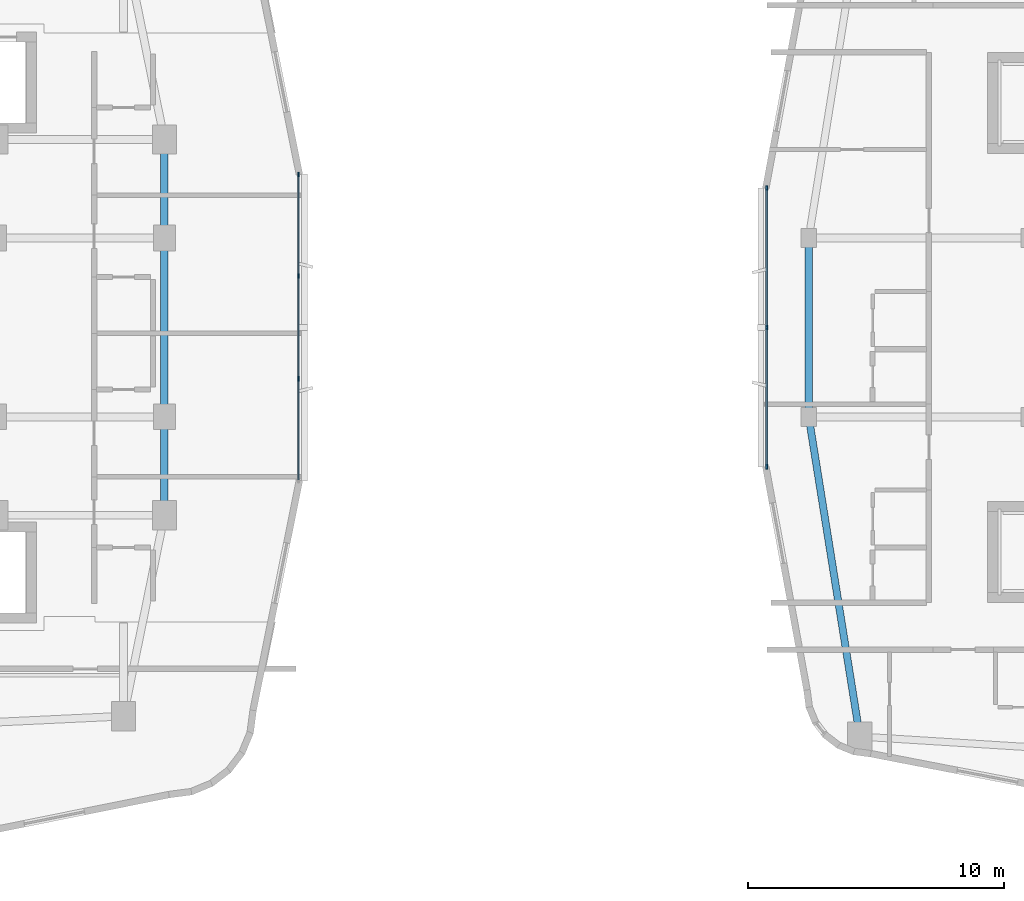
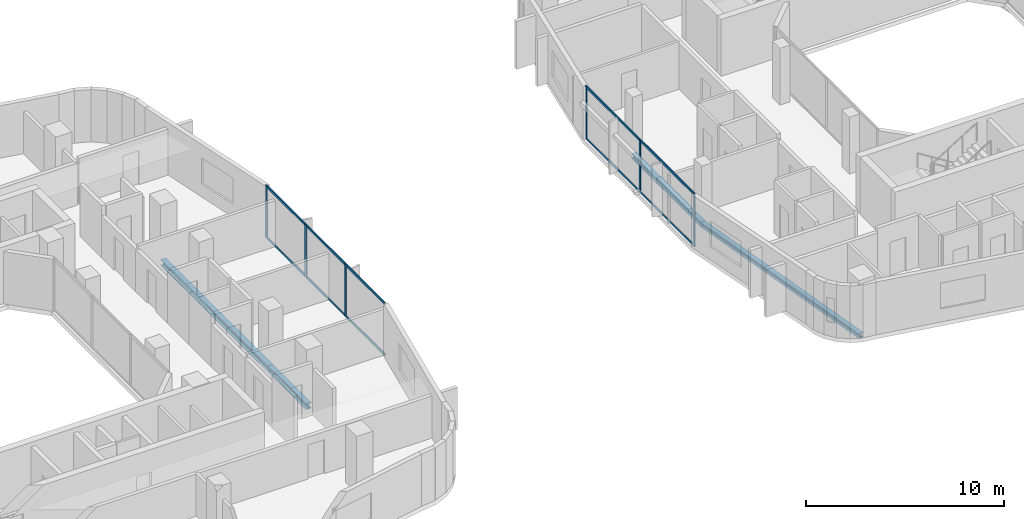
# One storey, part 5 of 26: 16 members, 5 beams, 2 elements without a shape of their own.
"""IFC4 building model written with IfcOpenShell, lengths in metres."""

from ifc_helpers import new_model, si_unit, derived_unit, direction, frame, origin, origin_2d, place, context, subcontext, project, spatial, rectangle, i_section, extrude, material, layer, layer_set, material_profile, profile_set, type_object, element, aggregate, save


model = new_model("IFC4")

# Units and contexts
model_context = context("Model", 3, precision=1e-05, world=origin(), true_north=direction((0.0, 1.0)))
body_context = subcontext(model_context, "Body", "Model", "MODEL_VIEW")
ifc_project = project(units=[si_unit("LENGTHUNIT", "METRE"), si_unit("AREAUNIT", "SQUARE_METRE"), si_unit("VOLUMEUNIT", "CUBIC_METRE"), si_unit("PLANEANGLEUNIT", "RADIAN"), si_unit("MASSUNIT", "GRAM", prefix="KILO"), derived_unit("THERMALTRANSMITTANCEUNIT", [(si_unit("POWERUNIT", "WATT"), 1), (si_unit("LENGTHUNIT", "METRE"), -2), (si_unit("THERMODYNAMICTEMPERATUREUNIT", "KELVIN"), -1)])], contexts=[model_context])

# Site, building, storey
site_placement = place(None, origin())
site = spatial("IfcSite", under=ifc_project, at=site_placement, CompositionType="ELEMENT")
building_placement = place(site_placement, origin())
building = spatial("IfcBuilding", under=site, at=building_placement, Name="Kivonza Crest Hotel", CompositionType="ELEMENT")
storey_placement = place(building_placement, frame((0.0, 0.0, 95.0)))
storey = spatial("IfcBuildingStorey", under=building, at=storey_placement, Name="L25", CompositionType="ELEMENT", Elevation=95.0)

# Beams
ifc_material_1 = material(Name="Steel S355", Category="steel")
ifc_material_profile_1 = material_profile(ifc_material_1, i_section(OverallWidth=0.280029296875, OverallDepth=0.280029296875, WebThickness=0.010498046875, FlangeThickness=0.01806640625, FilletRadius=0.02392578125, at=origin_2d()), Name="HEB 280")
ifc_profile_set_1 = profile_set([ifc_material_profile_1], Name="Steel S355")
beam_type_1 = type_object("IfcBeamType", Name="BM-HEB280", PredefinedType="SPANDREL", material=ifc_profile_set_1)
beam_1_placement = place(storey_placement, frame((61.0, 28.5, -0.389892578125), z_axis=(0.0, -1.0, 0.0), x_axis=(1.0, 0.0, 0.0)))
element("IfcBeam", 1, at=beam_1_placement, inside=storey, type_object=beam_type_1, Name="Companion Tower T2 L25 perimeter spandrel W2-W1", PredefinedType="SPANDREL", context=body_context, shape_type="SweptSolid", body=[
    extrude(i_section(OverallWidth=0.280029296875, OverallDepth=0.280029296875, WebThickness=0.010498046875, FlangeThickness=0.01806640625, FilletRadius=0.02392578125, at=origin_2d()), origin(), (0.0, 0.0, 1.0), 7.0),
])
beam_2_placement = place(storey_placement, frame((61.0, 21.5, -0.389892578125), z_axis=(0.157990501107, -0.987440631917, 0.0), x_axis=(0.987440631917, 0.157990501107, 0.0)))
element("IfcBeam", 2, at=beam_2_placement, inside=storey, type_object=beam_type_1, Name="Companion Tower T2 L25 perimeter spandrel W1-SW", PredefinedType="SPANDREL", context=body_context, shape_type="SweptSolid", body=[
    extrude(i_section(OverallWidth=0.280029296875, OverallDepth=0.280029296875, WebThickness=0.010498046875, FlangeThickness=0.01806640625, FilletRadius=0.02392578125, at=origin_2d()), origin(), (0.0, 0.0, 1.0), 12.658935546875),
])
ifc_material_profile_2 = material_profile(ifc_material_1, i_section(OverallWidth=0.300048828125, OverallDepth=0.360107421875, WebThickness=0.012451171875, FlangeThickness=0.0224609375, FilletRadius=0.027099609375, at=origin_2d()), Name="HEB 360")
ifc_profile_set_2 = profile_set([ifc_material_profile_2], Name="Steel S355")
beam_type_2 = type_object("IfcBeamType", Name="BM-HEB360", PredefinedType="SPANDREL", material=ifc_profile_set_2)
beam_3_placement = place(storey_placement, frame((35.800048828125, 17.64990234375, -0.4599609375), z_axis=(0.0, 1.0, 0.0), x_axis=(-1.0, 0.0, 0.0)))
element("IfcBeam", 3, at=beam_3_placement, inside=storey, type_object=beam_type_2, Name="Tower T1 L25 perimeter spandrel PSE-E1", PredefinedType="SPANDREL", context=body_context, shape_type="SweptSolid", body=[
    extrude(i_section(OverallWidth=0.300048828125, OverallDepth=0.360107421875, WebThickness=0.012451171875, FlangeThickness=0.0224609375, FilletRadius=0.027099609375, at=origin_2d()), origin(), (0.0, 0.0, 1.0), 3.85009765625),
])
beam_4_placement = place(storey_placement, frame((35.800048828125, 21.5, -0.4599609375), z_axis=(0.0, 1.0, 0.0), x_axis=(-1.0, 0.0, 0.0)))
element("IfcBeam", 4, at=beam_4_placement, inside=storey, type_object=beam_type_2, Name="Tower T1 L25 perimeter spandrel E1-E2", PredefinedType="SPANDREL", context=body_context, shape_type="SweptSolid", body=[
    extrude(i_section(OverallWidth=0.300048828125, OverallDepth=0.360107421875, WebThickness=0.012451171875, FlangeThickness=0.0224609375, FilletRadius=0.027099609375, at=origin_2d()), origin(), (0.0, 0.0, 1.0), 7.0),
])
beam_5_placement = place(storey_placement, frame((35.800048828125, 28.5, -0.4599609375), z_axis=(0.0, 1.0, 0.0), x_axis=(-1.0, 0.0, 0.0)))
element("IfcBeam", 5, at=beam_5_placement, inside=storey, type_object=beam_type_2, Name="Tower T1 L25 perimeter spandrel E2-PNE", PredefinedType="SPANDREL", context=body_context, shape_type="SweptSolid", body=[
    extrude(i_section(OverallWidth=0.300048828125, OverallDepth=0.360107421875, WebThickness=0.012451171875, FlangeThickness=0.0224609375, FilletRadius=0.027099609375, at=origin_2d()), origin(), (0.0, 0.0, 1.0), 3.85009765625),
])

# Curtain wall, members
ifc_material_2 = material(Name="Anodised bronze aluminium and low-E double glazing", Category="aluminium")
ifc_layer_1 = layer(ifc_material_2, 0.179931640625)
ifc_layer_set_1 = layer_set([ifc_layer_1], Name="Anodised bronze aluminium and low-E double glazing")
curtain_wall_type_1 = type_object("IfcCurtainWallType", Name="CW-SYS-2", PredefinedType="NOTDEFINED", material=ifc_layer_set_1)
curtain_wall_1_placement = place(storey_placement, origin())
curtain_wall_1 = element("IfcCurtainWall", 6, at=curtain_wall_1_placement, inside=storey, type_object=curtain_wall_type_1, Name="L25 unitised curtain wall CW-T1-L25-17", PredefinedType="NOTDEFINED")
ifc_material_3 = material(Name="Anodised bronze aluminium", Category="aluminium")
ifc_material_profile_3 = material_profile(ifc_material_3, rectangle(XDim=0.06494140625, YDim=0.179931640625, at=origin_2d()), Name="CW-M 65x180")
ifc_profile_set_3 = profile_set([ifc_material_profile_3], Name="Anodised bronze aluminium")
member_type_1 = type_object("IfcMemberType", Name="CW-MUL-65x180", PredefinedType="MULLION", material=ifc_profile_set_3)
member_1_placement = place(storey_placement, frame((41.0400390625, 22.993408203125, 0.0), z_axis=(0.0, 0.0, 1.0), x_axis=(-1.0, 0.0, 0.0)))
member_1 = element("IfcMember", 7, at=member_1_placement, type_object=member_type_1, Name="CW-2 mullion 2", PredefinedType="MULLION", context=body_context, shape_type="SweptSolid", body=[
    extrude(rectangle(XDim=0.06494140625, YDim=0.179931640625, at=origin_2d()), origin(), (0.0, 0.0, 1.0), 3.219970703125),
])
member_2_placement = place(storey_placement, frame((41.0400390625, 27.006591796875, 0.0), z_axis=(0.0, 0.0, 1.0), x_axis=(-1.0, 0.0, 0.0)))
member_2 = element("IfcMember", 8, at=member_2_placement, type_object=member_type_1, Name="CW-2 mullion 3", PredefinedType="MULLION", context=body_context, shape_type="SweptSolid", body=[
    extrude(rectangle(XDim=0.06494140625, YDim=0.179931640625, at=origin_2d()), origin(), (0.0, 0.0, 1.0), 3.219970703125),
])
member_3_placement = place(storey_placement, frame((41.0400390625, 30.987548828125, 0.0), z_axis=(0.0, 0.0, 1.0), x_axis=(-1.0, 0.0, 0.0)))
member_3 = element("IfcMember", 9, at=member_3_placement, type_object=member_type_1, Name="CW-2 mullion 4", PredefinedType="MULLION", context=body_context, shape_type="SweptSolid", body=[
    extrude(rectangle(XDim=0.06494140625, YDim=0.179931640625, at=origin_2d()), origin(), (0.0, 0.0, 1.0), 3.219970703125),
])

ifc_layer_2 = layer(ifc_material_2, 0.179931640625)
ifc_layer_set_2 = layer_set([ifc_layer_2], Name="Anodised bronze aluminium and low-E double glazing")
curtain_wall_type_2 = type_object("IfcCurtainWallType", Name="CW-SYS-4", PredefinedType="NOTDEFINED", material=ifc_layer_set_2)
curtain_wall_2_placement = place(storey_placement, origin())
curtain_wall_2 = element("IfcCurtainWall", 10, at=curtain_wall_2_placement, inside=storey, type_object=curtain_wall_type_2, Name="L25 unitised curtain wall CW-T2-L25-35", PredefinedType="NOTDEFINED")
member_4_placement = place(storey_placement, frame((59.360107421875, 30.447509765625, 0.0), z_axis=(0.0, 0.0, 1.0), x_axis=(1.0, 0.0, 0.0)))
member_4 = element("IfcMember", 11, at=member_4_placement, type_object=member_type_1, Name="CW-4 mullion 1", PredefinedType="MULLION", context=body_context, shape_type="SweptSolid", body=[
    extrude(rectangle(XDim=0.06494140625, YDim=0.179931640625, at=origin_2d()), origin(), (0.0, 0.0, 1.0), 3.25),
])
member_5_placement = place(storey_placement, frame((59.360107421875, 25.0, 0.0), z_axis=(0.0, 0.0, 1.0), x_axis=(1.0, 0.0, 0.0)))
member_5 = element("IfcMember", 12, at=member_5_placement, type_object=member_type_1, Name="CW-4 mullion 2", PredefinedType="MULLION", context=body_context, shape_type="SweptSolid", body=[
    extrude(rectangle(XDim=0.06494140625, YDim=0.179931640625, at=origin_2d()), origin(), (0.0, 0.0, 1.0), 3.25),
])
member_6_placement = place(storey_placement, frame((59.360107421875, 19.552490234375, 0.0), z_axis=(0.0, 0.0, 1.0), x_axis=(1.0, 0.0, 0.0)))
member_6 = element("IfcMember", 13, at=member_6_placement, type_object=member_type_1, Name="CW-4 mullion 3", PredefinedType="MULLION", context=body_context, shape_type="SweptSolid", body=[
    extrude(rectangle(XDim=0.06494140625, YDim=0.179931640625, at=origin_2d()), origin(), (0.0, 0.0, 1.0), 3.25),
])

# Member
ifc_material_profile_4 = material_profile(ifc_material_3, rectangle(XDim=0.06494140625, YDim=0.139892578125, at=origin_2d()), Name="CW-T 65x140")
ifc_profile_set_4 = profile_set([ifc_material_profile_4], Name="Anodised bronze aluminium")
member_type_2 = type_object("IfcMemberType", Name="CW-TRN-65x140", PredefinedType="USERDEFINED", material=ifc_profile_set_4)
member_7_placement = place(storey_placement, frame((41.0400390625, 19.044921875, 0.032470703125), z_axis=(0.0, 1.0, 0.0), x_axis=(-1.0, 0.0, 0.0)))
member_7 = element("IfcMember", 14, at=member_7_placement, type_object=member_type_2, Name="CW-2 transom 1.1", ObjectType="TRANSOM", PredefinedType="USERDEFINED", context=body_context, shape_type="SweptSolid", body=[
    extrude(rectangle(XDim=0.06494140625, YDim=0.139892578125, at=origin_2d()), origin(), (0.0, 0.0, 1.0), 3.916015625),
])

member_8_placement = place(storey_placement, frame((41.0400390625, 19.044921875, 3.1875), z_axis=(0.0, 1.0, 0.0), x_axis=(-1.0, 0.0, 0.0)))
member_8 = element("IfcMember", 15, at=member_8_placement, type_object=member_type_2, Name="CW-2 transom 1.2", ObjectType="TRANSOM", PredefinedType="USERDEFINED", context=body_context, shape_type="SweptSolid", body=[
    extrude(rectangle(XDim=0.06494140625, YDim=0.139892578125, at=origin_2d()), origin(), (0.0, 0.0, 1.0), 3.916015625),
])

member_9_placement = place(storey_placement, frame((41.0400390625, 23.02587890625, 0.032470703125), z_axis=(0.0, 1.0, 0.0), x_axis=(-1.0, 0.0, 0.0)))
member_9 = element("IfcMember", 16, at=member_9_placement, type_object=member_type_2, Name="CW-2 transom 2.1", ObjectType="TRANSOM", PredefinedType="USERDEFINED", context=body_context, shape_type="SweptSolid", body=[
    extrude(rectangle(XDim=0.06494140625, YDim=0.139892578125, at=origin_2d()), origin(), (0.0, 0.0, 1.0), 3.9482421875),
])

member_10_placement = place(storey_placement, frame((41.0400390625, 23.02587890625, 3.1875), z_axis=(0.0, 1.0, 0.0), x_axis=(-1.0, 0.0, 0.0)))
member_10 = element("IfcMember", 17, at=member_10_placement, type_object=member_type_2, Name="CW-2 transom 2.2", ObjectType="TRANSOM", PredefinedType="USERDEFINED", context=body_context, shape_type="SweptSolid", body=[
    extrude(rectangle(XDim=0.06494140625, YDim=0.139892578125, at=origin_2d()), origin(), (0.0, 0.0, 1.0), 3.9482421875),
])

member_11_placement = place(storey_placement, frame((41.0400390625, 27.0390625, 0.032470703125), z_axis=(0.0, 1.0, 0.0), x_axis=(-1.0, 0.0, 0.0)))
member_11 = element("IfcMember", 18, at=member_11_placement, type_object=member_type_2, Name="CW-2 transom 3.1", ObjectType="TRANSOM", PredefinedType="USERDEFINED", context=body_context, shape_type="SweptSolid", body=[
    extrude(rectangle(XDim=0.06494140625, YDim=0.139892578125, at=origin_2d()), origin(), (0.0, 0.0, 1.0), 3.916015625),
])

member_12_placement = place(storey_placement, frame((41.0400390625, 27.0390625, 3.1875), z_axis=(0.0, 1.0, 0.0), x_axis=(-1.0, 0.0, 0.0)))
member_12 = element("IfcMember", 19, at=member_12_placement, type_object=member_type_2, Name="CW-2 transom 3.2", ObjectType="TRANSOM", PredefinedType="USERDEFINED", context=body_context, shape_type="SweptSolid", body=[
    extrude(rectangle(XDim=0.06494140625, YDim=0.139892578125, at=origin_2d()), origin(), (0.0, 0.0, 1.0), 3.916015625),
])

aggregate(curtain_wall_1, [member_1, member_2, member_3, member_7, member_8, member_9, member_10, member_11, member_12])

member_13_placement = place(storey_placement, frame((59.360107421875, 30.4150390625, 0.032470703125), z_axis=(0.0, -1.0, 0.0), x_axis=(1.0, 0.0, 0.0)))
member_13 = element("IfcMember", 20, at=member_13_placement, type_object=member_type_2, Name="CW-4 transom 1.1", ObjectType="TRANSOM", PredefinedType="USERDEFINED", context=body_context, shape_type="SweptSolid", body=[
    extrude(rectangle(XDim=0.06494140625, YDim=0.139892578125, at=origin_2d()), origin(), (0.0, 0.0, 1.0), 5.382568359375),
])

member_14_placement = place(storey_placement, frame((59.360107421875, 30.4150390625, 3.217529296875), z_axis=(0.0, -1.0, 0.0), x_axis=(1.0, 0.0, 0.0)))
member_14 = element("IfcMember", 21, at=member_14_placement, type_object=member_type_2, Name="CW-4 transom 1.2", ObjectType="TRANSOM", PredefinedType="USERDEFINED", context=body_context, shape_type="SweptSolid", body=[
    extrude(rectangle(XDim=0.06494140625, YDim=0.139892578125, at=origin_2d()), origin(), (0.0, 0.0, 1.0), 5.382568359375),
])

member_15_placement = place(storey_placement, frame((59.360107421875, 24.967529296875, 0.032470703125), z_axis=(0.0, -1.0, 0.0), x_axis=(1.0, 0.0, 0.0)))
member_15 = element("IfcMember", 22, at=member_15_placement, type_object=member_type_2, Name="CW-4 transom 2.1", ObjectType="TRANSOM", PredefinedType="USERDEFINED", context=body_context, shape_type="SweptSolid", body=[
    extrude(rectangle(XDim=0.06494140625, YDim=0.139892578125, at=origin_2d()), origin(), (0.0, 0.0, 1.0), 5.382568359375),
])

member_16_placement = place(storey_placement, frame((59.360107421875, 24.967529296875, 3.217529296875), z_axis=(0.0, -1.0, 0.0), x_axis=(1.0, 0.0, 0.0)))
member_16 = element("IfcMember", 23, at=member_16_placement, type_object=member_type_2, Name="CW-4 transom 2.2", ObjectType="TRANSOM", PredefinedType="USERDEFINED", context=body_context, shape_type="SweptSolid", body=[
    extrude(rectangle(XDim=0.06494140625, YDim=0.139892578125, at=origin_2d()), origin(), (0.0, 0.0, 1.0), 5.382568359375),
])

aggregate(curtain_wall_2, [member_4, member_5, member_6, member_13, member_14, member_15, member_16])

save(model, "model.ifc")
